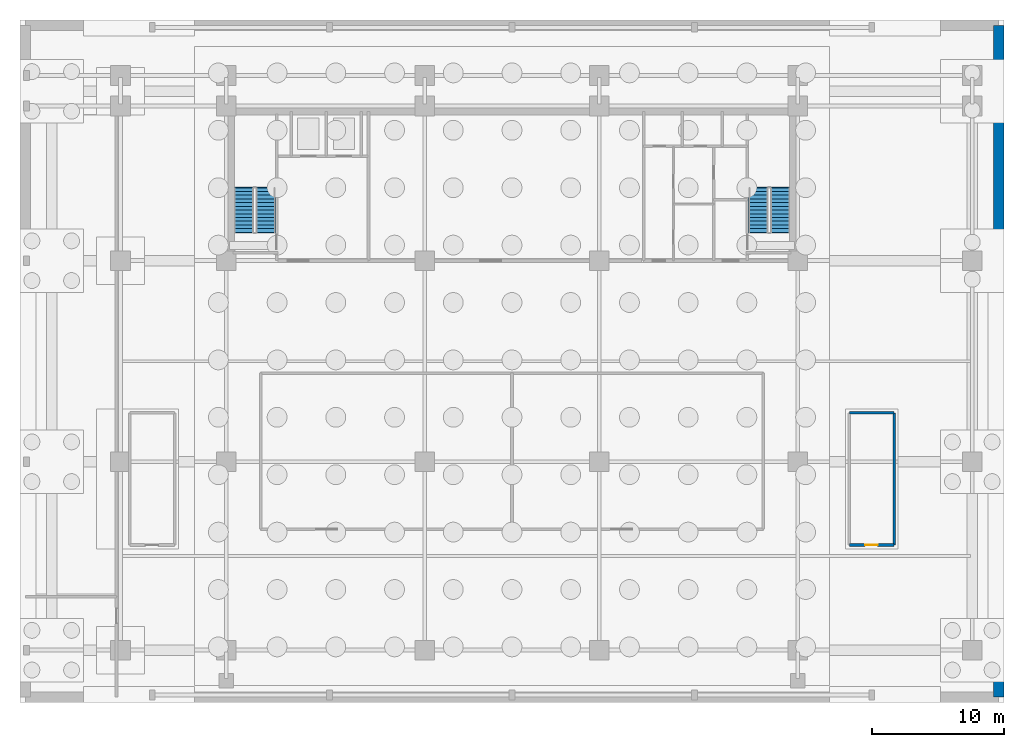
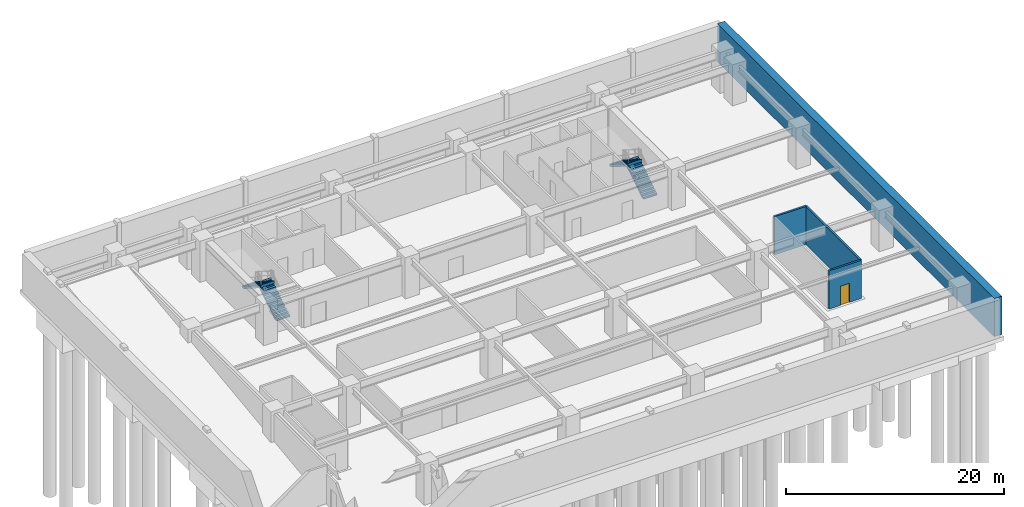
# One storey, part 7 of 9: 4 stair flights, 4 walls, 1 door, 1 opening, 2 elements without a shape of their own.
"""IFC4 building model written with IfcOpenShell, lengths in metres."""

from ifc_helpers import new_model, si_unit, direction, frame, frame_2d, origin, place, context, subcontext, project, spatial, polyline, rectangle, outline, extrude, source, transform, mapped, material, layer, layer_set, type_object, element, fill, aggregate, save


model = new_model("IFC4")

# Units and contexts
model_context = context("Model", 3, precision=1e-05, world=origin(), true_north=direction((0.0, 1.0)))
body_context = subcontext(model_context, "Body", "Model", "MODEL_VIEW")
ifc_project = project(units=[si_unit("LENGTHUNIT", "METRE"), si_unit("AREAUNIT", "SQUARE_METRE"), si_unit("VOLUMEUNIT", "CUBIC_METRE"), si_unit("PLANEANGLEUNIT", "RADIAN"), si_unit("MASSUNIT", "GRAM", prefix="KILO")], contexts=[model_context])

# Site, building, storey
site_placement = place(None, origin())
site = spatial("IfcSite", under=ifc_project, at=site_placement, CompositionType="ELEMENT")
building_placement = place(site_placement, origin())
building = spatial("IfcBuilding", under=site, at=building_placement, Name="Trelvane Seafront Commons", CompositionType="ELEMENT")
storey_placement = place(building_placement, frame((0.0, 0.0, -13.199951171875)))
storey = spatial("IfcBuildingStorey", under=building, at=storey_placement, Name="B03", CompositionType="ELEMENT", Elevation=-13.199951171875)

# Walls
ifc_material_1 = material(Name="Concrete C50/60", Category="concrete")
ifc_layer_1 = layer(ifc_material_1, 0.800048828125, Name="STR-WALL-RET800")
ifc_layer_set_1 = layer_set([ifc_layer_1], Name="Concrete C50/60")
wall_type_1 = type_object("IfcWallType", Name="STR-WALL-RET800", PredefinedType="USERDEFINED", material=ifc_layer_set_1)
wall_1_placement = place(storey_placement, frame((74.0, 0.39990234375, 0.0), z_axis=(0.0, 0.0, 1.0), x_axis=(0.0, 1.0, 0.0)))
element("IfcWall", 1, at=wall_1_placement, inside=storey, type_object=wall_type_1, Name="RET-B03-02", ObjectType="RETAINING WALL", PredefinedType="USERDEFINED", context=body_context, shape_type="SweptSolid", body=[
    extrude(rectangle(XDim=50.800048828125, YDim=0.800048828125, at=frame_2d((25.39990234375, 0.0))), origin(), (0.0, 0.0, 1.0), 4.280029296875),
])
ifc_layer_2 = layer(ifc_material_1, 0.199951171875, Name="STR-WALL-STAIR200")
ifc_layer_set_2 = layer_set([ifc_layer_2], Name="Concrete C50/60")
wall_type_2 = type_object("IfcWallType", Name="STR-WALL-STAIR200", PredefinedType="SHEAR", material=ifc_layer_set_2)
wall_2_placement = place(storey_placement, frame((66.10009765625, 11.89990234375, 0.0), z_axis=(0.0, 0.0, 1.0), x_axis=(0.0, 1.0, 0.0)))
element("IfcWall", 2, at=wall_2_placement, inside=storey, type_object=wall_type_2, Name="W-B03-ST4B-E-013", PredefinedType="SHEAR", context=body_context, shape_type="SweptSolid", body=[
    extrude(rectangle(XDim=10.0, YDim=0.199951171875, at=frame_2d((5.0, 0.0))), origin(), (0.0, 0.0, 1.0), 4.280029296875),
])

# Wall, opening, door
wall_3_placement = place(storey_placement, frame((62.699951171875, 11.89990234375, 0.0), z_axis=(0.0, 0.0, 1.0), x_axis=(1.0, 0.0, 0.0)))
wall_3 = element("IfcWall", 3, at=wall_3_placement, inside=storey, type_object=wall_type_2, Name="W-B03-ST4B-S-014", PredefinedType="SHEAR", context=body_context, shape_type="SweptSolid", body=[
    extrude(rectangle(XDim=3.400146484375, YDim=0.199951171875, at=frame_2d((1.7001953125, 0.0))), origin(), (0.0, 0.0, 1.0), 4.280029296875),
])
opening_placement = place(wall_3_placement, frame((1.199951171875, 0.0, 0.0)))
opening = element("IfcOpeningElement", 4, at=opening_placement, cuts=wall_3, Name="Opening FD-B03-04", PredefinedType="OPENING", context=body_context, shape_type="SweptSolid", body=[
    extrude(rectangle(XDim=0.949951171875, YDim=2.14990234375, at=frame_2d((0.47509765625, 1.074951171875))), frame((0.0, 0.10986328125, 0.0), z_axis=(0.0, -1.0, 0.0), x_axis=(1.0, 0.0, 0.0)), (0.0, 0.0, 1.0), 0.219970703125),
])
ifc_material_2 = material(Name="Powder-coated aluminium frame", Category="aluminium")
door_type = type_object("IfcDoorType", Name="ARCH-DR-FD60-950", OperationType="NOTDEFINED", PredefinedType="DOOR", material=ifc_material_2)
shared_shape_1 = source(origin(), body_context, "Body", "SweptSolid", [
    extrude(rectangle(XDim=0.949951171875, YDim=2.14990234375, at=frame_2d((0.47509765625, 1.074951171875))), frame((0.0, 0.02490234375, 0.0), z_axis=(0.0, -1.0, 0.0), x_axis=(1.0, 0.0, 0.0)), (0.0, 0.0, 1.0), 0.050048828125),
])
door_placement = place(opening_placement, origin())
door = element("IfcDoor", 5, at=door_placement, inside=storey, type_object=door_type, Name="B03 Door 04", OperationType="SINGLE_SWING_RIGHT", OverallHeight=2.14990234375, OverallWidth=0.949951171875, PredefinedType="DOOR", context=body_context, shape_type="MappedRepresentation", body=[
    mapped(shared_shape_1, transform((0.0, 0.0, 0.0), x_axis=(1.0, 0.0, 0.0), y_axis=(0.0, 1.0, 0.0), z_axis=(0.0, 0.0, 1.0), scale=1.0)),
])
fill(opening, door)

# Wall
wall_4_placement = place(storey_placement, frame((62.699951171875, 21.89990234375, 0.0), z_axis=(0.0, 0.0, 1.0), x_axis=(1.0, 0.0, 0.0)))
element("IfcWall", 6, at=wall_4_placement, inside=storey, type_object=wall_type_2, Name="W-B03-ST4B-N-015", PredefinedType="SHEAR", context=body_context, shape_type="SweptSolid", body=[
    extrude(rectangle(XDim=3.400146484375, YDim=0.199951171875, at=frame_2d((1.7001953125, 0.0))), origin(), (0.0, 0.0, 1.0), 4.280029296875),
])

# Stair, stair flights
ifc_material_3 = material(Name="Concrete C40/50", Category="concrete")
stair_type_1 = type_object("IfcStairType", Name="ARCH-STR-ST-1-R26-177", PredefinedType="HALF_TURN_STAIR", material=ifc_material_3)
stair_1_placement = place(storey_placement, origin())
stair_1 = element("IfcStair", 7, at=stair_1_placement, inside=storey, type_object=stair_type_1, Name="B03 West Protected Firefighting Exit Stair ST-1", PredefinedType="HALF_TURN_STAIR")
stair_flight_type_1 = type_object("IfcStairFlightType", Name="ARCH-FLG-ST-1-R26-177", PredefinedType="STRAIGHT", material=ifc_material_3)
shared_shape_2 = source(origin(), body_context, "Body", "SweptSolid", [
    extrude(outline(polyline([(-0.050048828125, -0.02001953125), (-0.050048828125, 0.0), (0.0, 0.0), (0.0, 0.177001953125), (0.280029296875, 0.177001953125), (0.280029296875, 0.353759765625), (0.56005859375, 0.353759765625), (0.56005859375, 0.53076171875), (0.840087890625, 0.53076171875), (0.840087890625, 0.707763671875), (1.1201171875, 0.707763671875), (1.1201171875, 0.884521484375), (1.39990234375, 0.884521484375), (1.39990234375, 1.0615234375), (1.679931640625, 1.0615234375), (1.679931640625, 1.238525390625), (1.9599609375, 1.238525390625), (1.9599609375, 1.415283203125), (2.239990234375, 1.415283203125), (2.239990234375, 1.59228515625), (2.52001953125, 1.59228515625), (2.52001953125, 1.769287109375), (2.800048828125, 1.769287109375), (2.800048828125, 1.946044921875), (3.080078125, 1.946044921875), (3.080078125, 2.123046875), (3.360107421875, 2.123046875), (3.360107421875, 2.300048828125), (3.409912109375, 2.300048828125), (3.409912109375, 2.150146484375), (3.360107421875, 1.94580078125), (0.280517578125, -0.02001953125), (-0.050048828125, -0.02001953125)])), frame((0.0, 0.72509765625, 0.0), z_axis=(0.0, -1.0, 0.0), x_axis=(1.0, 0.0, 0.0)), (0.0, 0.0, 1.0), 1.449951171875),
])
stair_flight_1_placement = place(storey_placement, frame((18.574951171875, 35.550048828125, 0.0), z_axis=(0.0, 0.0, 1.0), x_axis=(0.0, 1.0, 0.0)))
stair_flight_1 = element("IfcStairFlight", 8, at=stair_flight_1_placement, type_object=stair_flight_type_1, Name="ST-1 flight 1", NumberOfRisers=13, NumberOfTreads=12, PredefinedType="STRAIGHT", RiserHeight=0.176923077, TreadLength=0.28, context=body_context, shape_type="MappedRepresentation", body=[
    mapped(shared_shape_2, transform((0.0, 0.0, 0.0), x_axis=(1.0, 0.0, 0.0), y_axis=(0.0, 1.0, 0.0), z_axis=(0.0, 0.0, 1.0), scale=1.0)),
])
stair_flight_2_placement = place(storey_placement, frame((16.925048828125, 38.909912109375, 2.300048828125), z_axis=(0.0, 0.0, 1.0), x_axis=(0.0, -1.0, 0.0)))
stair_flight_2 = element("IfcStairFlight", 9, at=stair_flight_2_placement, type_object=stair_flight_type_1, Name="ST-1 flight 2", NumberOfRisers=13, NumberOfTreads=12, PredefinedType="STRAIGHT", RiserHeight=0.176923077, TreadLength=0.28, context=body_context, shape_type="MappedRepresentation", body=[
    mapped(shared_shape_2, transform((0.0, 0.0, 0.0), x_axis=(1.0, 0.0, 0.0), y_axis=(0.0, 1.0, 0.0), z_axis=(0.0, 0.0, 1.0), scale=1.0)),
])
aggregate(stair_1, [stair_flight_1, stair_flight_2])

stair_type_2 = type_object("IfcStairType", Name="ARCH-STR-ST-2-R26-177", PredefinedType="HALF_TURN_STAIR", material=ifc_material_3)
stair_2_placement = place(storey_placement, origin())
stair_2 = element("IfcStair", 10, at=stair_2_placement, inside=storey, type_object=stair_type_2, Name="B03 East Protected Firefighting Exit Stair ST-2", PredefinedType="HALF_TURN_STAIR")
stair_flight_type_2 = type_object("IfcStairFlightType", Name="ARCH-FLG-ST-2-R26-177", PredefinedType="STRAIGHT", material=ifc_material_3)
stair_flight_3_placement = place(storey_placement, frame((57.47509765625, 35.550048828125, 0.0), z_axis=(0.0, 0.0, 1.0), x_axis=(0.0, 1.0, 0.0)))
stair_flight_3 = element("IfcStairFlight", 11, at=stair_flight_3_placement, type_object=stair_flight_type_2, Name="ST-2 flight 1", NumberOfRisers=13, NumberOfTreads=12, PredefinedType="STRAIGHT", RiserHeight=0.176923077, TreadLength=0.28, context=body_context, shape_type="MappedRepresentation", body=[
    mapped(shared_shape_2, transform((0.0, 0.0, 0.0), x_axis=(1.0, 0.0, 0.0), y_axis=(0.0, 1.0, 0.0), z_axis=(0.0, 0.0, 1.0), scale=1.0)),
])
stair_flight_4_placement = place(storey_placement, frame((55.824951171875, 38.909912109375, 2.300048828125), z_axis=(0.0, 0.0, 1.0), x_axis=(0.0, -1.0, 0.0)))
stair_flight_4 = element("IfcStairFlight", 12, at=stair_flight_4_placement, type_object=stair_flight_type_2, Name="ST-2 flight 2", NumberOfRisers=13, NumberOfTreads=12, PredefinedType="STRAIGHT", RiserHeight=0.176923077, TreadLength=0.28, context=body_context, shape_type="MappedRepresentation", body=[
    mapped(shared_shape_2, transform((0.0, 0.0, 0.0), x_axis=(1.0, 0.0, 0.0), y_axis=(0.0, 1.0, 0.0), z_axis=(0.0, 0.0, 1.0), scale=1.0)),
])
aggregate(stair_2, [stair_flight_3, stair_flight_4])

save(model, "model.ifc")
